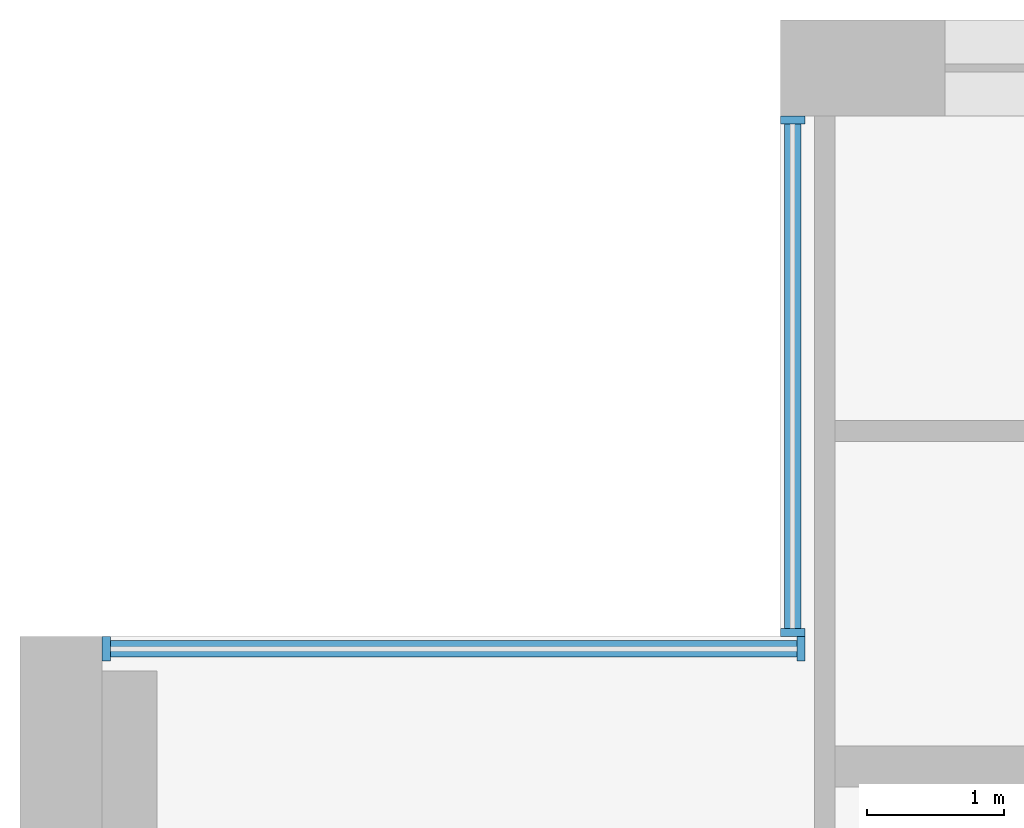
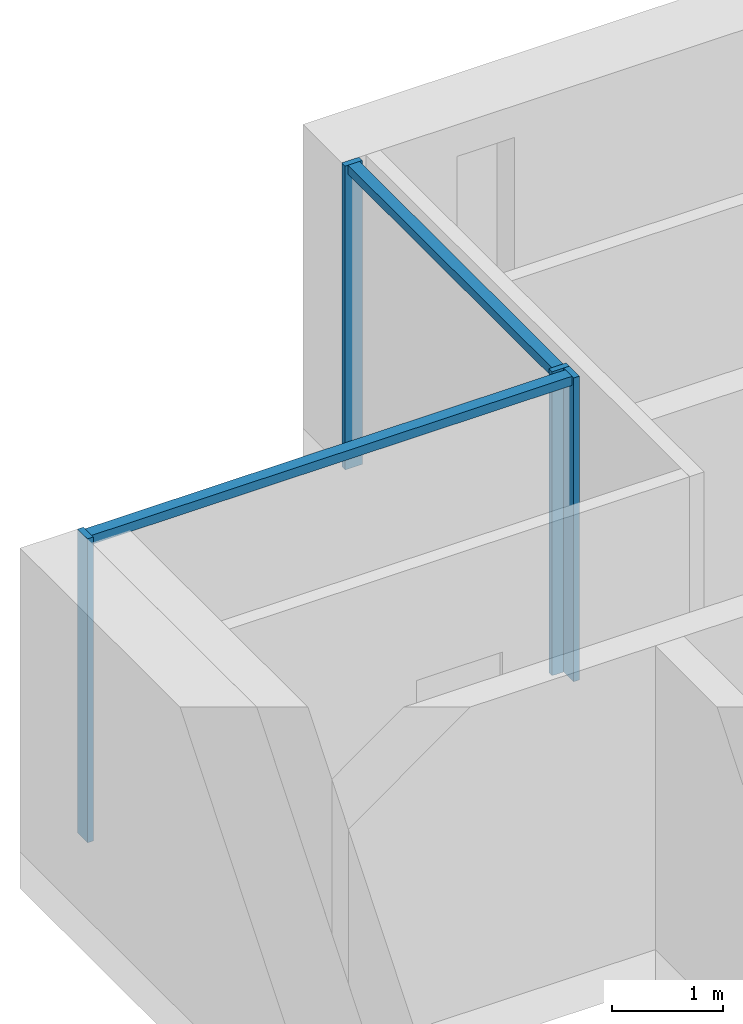
# One storey, part 4 of 17: 6 members, 2 elements without a shape of their own.
"""IFC4 building model written with IfcOpenShell, lengths in metres."""

from ifc_helpers import new_model, si_unit, direction, frame, origin, origin_2d, place, context, subcontext, project, spatial, rectangle, extrude, material, material_profile, profile_set, type_object, element, aggregate, save


model = new_model("IFC4")

# Units and contexts
model_context = context("Model", 3, precision=1e-05, world=origin(), true_north=direction((0.0, 1.0)))
body_context = subcontext(model_context, "Body", "Model", "MODEL_VIEW")
ifc_project = project(units=[si_unit("LENGTHUNIT", "METRE"), si_unit("AREAUNIT", "SQUARE_METRE"), si_unit("VOLUMEUNIT", "CUBIC_METRE"), si_unit("PLANEANGLEUNIT", "RADIAN"), si_unit("MASSUNIT", "GRAM", prefix="KILO")], contexts=[model_context])

# Site, building, storey
site_placement = place(None, origin())
site = spatial("IfcSite", under=ifc_project, at=site_placement, CompositionType="ELEMENT")
building_placement = place(site_placement, origin())
building = spatial("IfcBuilding", under=site, at=building_placement, Name="Calvaro Tower", CompositionType="ELEMENT")
storey_placement = place(building_placement, frame((0.0, 0.0, 193.0)))
storey = spatial("IfcBuildingStorey", under=building, at=storey_placement, Name="L48", CompositionType="ELEMENT", Elevation=193.0)

# Curtain wall, members
ifc_material_1 = material(Name="Anodised aluminium", Category="aluminium")
curtain_wall_type = type_object("IfcCurtainWallType", Name="Office curtain wall, upper zone", PredefinedType="NOTDEFINED", material=ifc_material_1)
curtain_wall_1_placement = place(storey_placement, origin())
curtain_wall_1 = element("IfcCurtainWall", 1, at=curtain_wall_1_placement, inside=storey, type_object=curtain_wall_type, Name="CW3 corner curtain wall", PredefinedType="NOTDEFINED")
ifc_material_2 = material(Name="Anodised aluminium", Category="aluminium")
ifc_material_profile_1 = material_profile(ifc_material_2, rectangle(XDim=0.179931640625, YDim=0.06005859375, at=origin_2d()), Name="Mullion S3 60 x 180")
ifc_profile_set_1 = profile_set([ifc_material_profile_1], Name="Anodised aluminium")
member_type_1 = type_object("IfcMemberType", Name="Mullion S3 60 x 180", PredefinedType="MULLION", material=ifc_profile_set_1)
member_1_placement = place(storey_placement, frame((11.639892578125, 41.530029296875, 0.0), z_axis=(0.0, 0.0, 1.0), x_axis=(-1.0, 0.0, 0.0)))
member_1 = element("IfcMember", 2, at=member_1_placement, type_object=member_type_1, Name="CW3 mullion 1", PredefinedType="MULLION", context=body_context, shape_type="SweptSolid", body=[
    extrude(rectangle(XDim=0.179931640625, YDim=0.06005859375, at=origin_2d()), origin(), (0.0, 0.0, 1.0), 3.35009765625),
])
member_2_placement = place(storey_placement, frame((11.639892578125, 45.27001953125, 0.0), z_axis=(0.0, 0.0, 1.0), x_axis=(-1.0, 0.0, 0.0)))
member_2 = element("IfcMember", 3, at=member_2_placement, type_object=member_type_1, Name="CW3 mullion 2", PredefinedType="MULLION", context=body_context, shape_type="SweptSolid", body=[
    extrude(rectangle(XDim=0.179931640625, YDim=0.06005859375, at=origin_2d()), origin(), (0.0, 0.0, 1.0), 3.35009765625),
])

curtain_wall_2_placement = place(storey_placement, origin())
curtain_wall_2 = element("IfcCurtainWall", 4, at=curtain_wall_2_placement, inside=storey, type_object=curtain_wall_type, Name="CW3 corner curtain wall", PredefinedType="NOTDEFINED")
member_3_placement = place(storey_placement, frame((6.6298828125, 41.409912109375, 0.0), z_axis=(0.0, 0.0, 1.0), x_axis=(0.0, 1.0, 0.0)))
member_3 = element("IfcMember", 5, at=member_3_placement, type_object=member_type_1, Name="CW3 mullion 1", PredefinedType="MULLION", context=body_context, shape_type="SweptSolid", body=[
    extrude(rectangle(XDim=0.179931640625, YDim=0.06005859375, at=origin_2d()), origin(), (0.0, 0.0, 1.0), 3.35009765625),
])
member_4_placement = place(storey_placement, frame((11.699951171875, 41.409912109375, 0.0), z_axis=(0.0, 0.0, 1.0), x_axis=(0.0, 1.0, 0.0)))
member_4 = element("IfcMember", 6, at=member_4_placement, type_object=member_type_1, Name="CW3 mullion 2", PredefinedType="MULLION", context=body_context, shape_type="SweptSolid", body=[
    extrude(rectangle(XDim=0.179931640625, YDim=0.06005859375, at=origin_2d()), origin(), (0.0, 0.0, 1.0), 3.35009765625),
])

# Member
ifc_material_3 = material(Name="Anodised aluminium", Category="aluminium")
ifc_material_profile_2 = material_profile(ifc_material_3, rectangle(XDim=0.1201171875, YDim=0.10009765625, at=origin_2d()), Name="Transom S3 100 x 120")
ifc_profile_set_2 = profile_set([ifc_material_profile_2], Name="Anodised aluminium")
member_type_2 = type_object("IfcMemberType", Name="Transom S3 100 x 120", PredefinedType="USERDEFINED", material=ifc_profile_set_2)
member_5_placement = place(storey_placement, frame((11.639892578125, 41.56005859375, 3.300048828125), z_axis=(0.0, 1.0, 0.0), x_axis=(-1.0, 0.0, 0.0)))
member_5 = element("IfcMember", 7, at=member_5_placement, type_object=member_type_2, Name="CW3 transom 1.1", ObjectType="TRANSOM", PredefinedType="USERDEFINED", context=body_context, shape_type="SweptSolid", body=[
    extrude(rectangle(XDim=0.1201171875, YDim=0.10009765625, at=origin_2d()), origin(), (0.0, 0.0, 1.0), 3.679931640625),
])

aggregate(curtain_wall_1, [member_1, member_2, member_5])

member_6_placement = place(storey_placement, frame((6.659912109375, 41.409912109375, 3.300048828125), z_axis=(1.0, 0.0, 0.0), x_axis=(0.0, 1.0, 0.0)))
member_6 = element("IfcMember", 8, at=member_6_placement, type_object=member_type_2, Name="CW3 transom 1.1", ObjectType="TRANSOM", PredefinedType="USERDEFINED", context=body_context, shape_type="SweptSolid", body=[
    extrude(rectangle(XDim=0.1201171875, YDim=0.10009765625, at=origin_2d()), origin(), (0.0, 0.0, 1.0), 5.010009765625),
])

aggregate(curtain_wall_2, [member_3, member_4, member_6])

save(model, "model.ifc")
